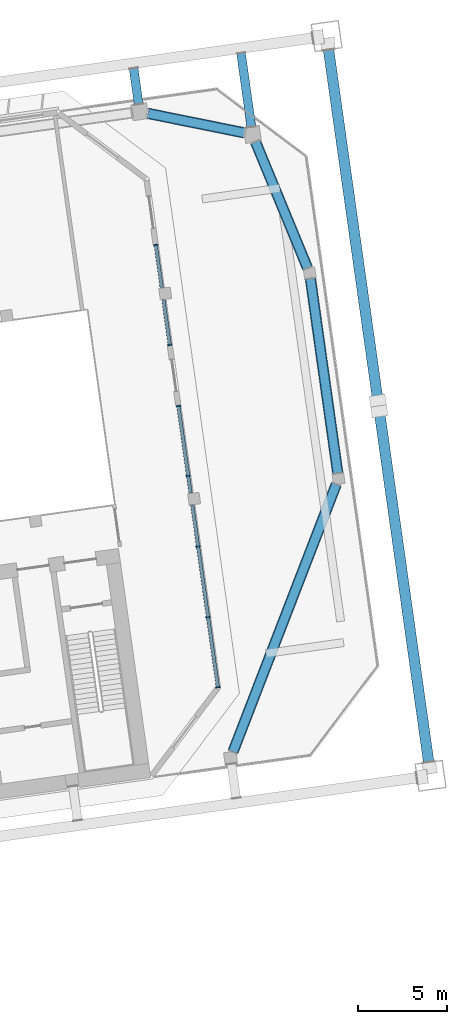
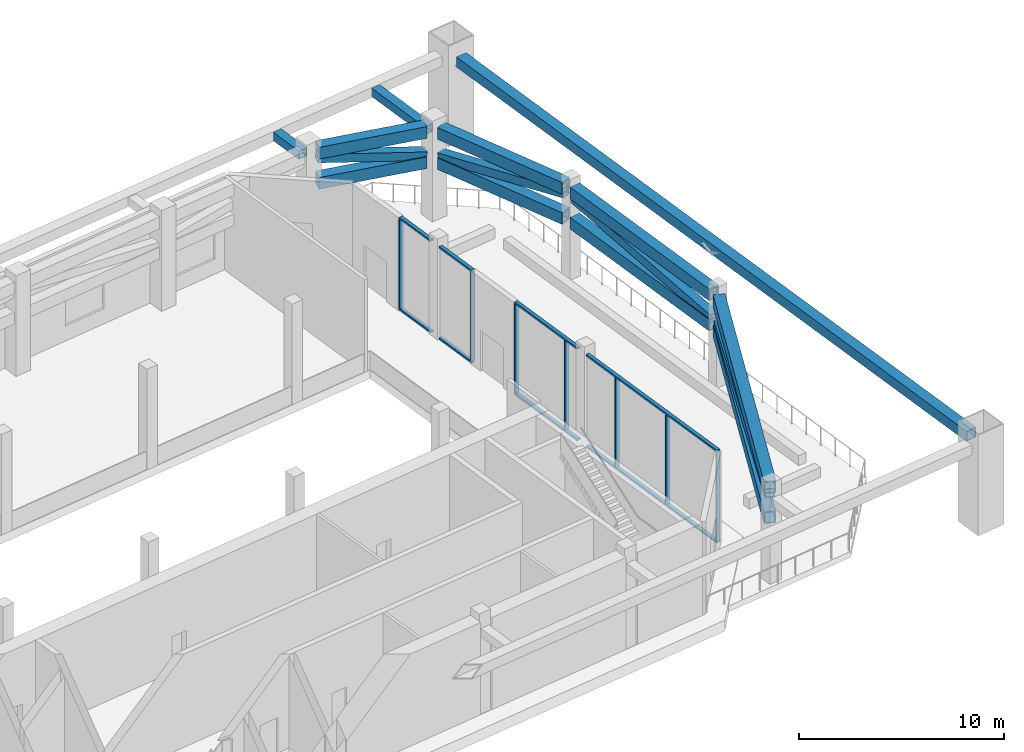
# One storey, part 16 of 41: 30 members, 2 elements without a shape of their own.
"""IFC4 building model written with IfcOpenShell, lengths in metres."""

from ifc_helpers import new_model, si_unit, direction, frame, origin, origin_2d, place, context, subcontext, project, spatial, rectangle, hollow_rectangle, extrude, material, material_profile, profile_set, type_object, element, aggregate, save


model = new_model("IFC4")

# Units and contexts
model_context = context("Model", 3, precision=1e-05, world=origin(), true_north=direction((0.0, 1.0)))
body_context = subcontext(model_context, "Body", "Model", "MODEL_VIEW")
ifc_project = project(units=[si_unit("LENGTHUNIT", "METRE"), si_unit("AREAUNIT", "SQUARE_METRE"), si_unit("VOLUMEUNIT", "CUBIC_METRE"), si_unit("PLANEANGLEUNIT", "RADIAN"), si_unit("MASSUNIT", "GRAM", prefix="KILO")], contexts=[model_context])

# Site, building, storey
site_placement = place(None, origin())
site = spatial("IfcSite", under=ifc_project, at=site_placement, CompositionType="ELEMENT")
building_placement = place(site_placement, origin())
building = spatial("IfcBuilding", under=site, at=building_placement, Name="Mirante Cascada Hotel Towers", CompositionType="ELEMENT")
storey_placement = place(building_placement, frame((0.0, 0.0, 92.7)))
storey = spatial("IfcBuildingStorey", under=building, at=storey_placement, Name="L20", CompositionType="ELEMENT", Elevation=92.7)

# Members
ifc_material_1 = material(Name="Steel ASTM A572 Gr 50", Category="steel")
ifc_material_profile_1 = material_profile(ifc_material_1, hollow_rectangle(XDim=0.6, YDim=0.6, WallThickness=0.04, at=origin_2d()), Name="Box chord 600x600x40 ASTM A572 Gr 50")
ifc_profile_set_1 = profile_set([ifc_material_profile_1], Name="Steel ASTM A572 Gr 50")
member_type_1 = type_object("IfcMemberType", Name="Box chord 600x600x40 ASTM A572 Gr 50", PredefinedType="CHORD", material=ifc_profile_set_1)
member_1_placement = place(storey_placement, frame((106.0939, -11.7244, 4.85), z_axis=(-0.1391718, 0.9902683, 0.0), x_axis=(-0.9902683, -0.1391718, 0.0)))
element("IfcMember", 1, at=member_1_placement, inside=storey, type_object=member_type_1, Name="exochord T2 L20 4", PredefinedType="CHORD", context=body_context, shape_type="SweptSolid", body=[
    extrude(hollow_rectangle(XDim=0.6, YDim=0.6, WallThickness=0.04, at=origin_2d()), origin(), (0.0, 0.0, 1.0), 40.44),
])
ifc_material_2 = material(Name="Steel ASTM A572 Gr 50", Category="steel")
ifc_material_profile_2 = material_profile(ifc_material_2, hollow_rectangle(XDim=0.6, YDim=0.7, WallThickness=0.05, at=origin_2d()), Name="Box chord 700x600x50 ASTM A572 Gr 50")
ifc_profile_set_2 = profile_set([ifc_material_profile_2], Name="Steel ASTM A572 Gr 50")
member_type_2 = type_object("IfcMemberType", Name="Box chord 700x600x50 ASTM A572 Gr 50", PredefinedType="CHORD", material=ifc_profile_set_2)
for number, where, z_axis, x_axis, name in (
    (2, (90.2951, 24.7498, 5.2), (0.9802196, -0.197913, 0.0), (0.197913, 0.9802196, 0.0), "belt T2 L20 22"),
    (3, (90.2951, 24.7498, 3.4), (0.9802196, -0.197913, 0.0), (0.197913, 0.9802196, 0.0), "belt T2 L20 23"),
):
    element("IfcMember", number, at=place(storey_placement, frame(where, z_axis=z_axis, x_axis=x_axis)), inside=storey, type_object=member_type_2, Name=name, PredefinedType="CHORD", context=body_context, shape_type="SweptSolid", body=[
        extrude(hollow_rectangle(XDim=0.6, YDim=0.7, WallThickness=0.05, at=origin_2d()), origin(), (0.0, 0.0, 1.0), 5.5534),
    ])
for number, where, z_axis, x_axis, name in (
    (4, (96.3563, 23.1491, 5.2), (0.3811846, -0.9244989, 0.0), (0.9244989, 0.3811846, 0.0), "belt T2 L20 25"),
    (5, (96.3563, 23.1491, 3.4), (0.3811846, -0.9244989, 0.0), (0.9244989, 0.3811846, 0.0), "belt T2 L20 26"),
):
    element("IfcMember", number, at=place(storey_placement, frame(where, z_axis=z_axis, x_axis=x_axis)), inside=storey, type_object=member_type_2, Name=name, PredefinedType="CHORD", context=body_context, shape_type="SweptSolid", body=[
        extrude(hollow_rectangle(XDim=0.6, YDim=0.7, WallThickness=0.05, at=origin_2d()), origin(), (0.0, 0.0, 1.0), 7.6803),
    ])
for number, where, z_axis, x_axis, name in (
    (6, (99.4466, 15.455, 5.2), (0.1391752, -0.9902678, 0.0), (0.9902678, 0.1391752, 0.0), "belt T2 L20 28"),
    (7, (99.4466, 15.455, 3.4), (0.1391752, -0.9902678, 0.0), (0.9902678, 0.1391752, 0.0), "belt T2 L20 29"),
):
    element("IfcMember", number, at=place(storey_placement, frame(where, z_axis=z_axis, x_axis=x_axis)), inside=storey, type_object=member_type_2, Name=name, PredefinedType="CHORD", context=body_context, shape_type="SweptSolid", body=[
        extrude(hollow_rectangle(XDim=0.6, YDim=0.7, WallThickness=0.05, at=origin_2d()), origin(), (0.0, 0.0, 1.0), 11.04),
    ])
for number, where, z_axis, x_axis, name in (
    (8, (100.8987, 3.892, 5.2), (-0.3601987, -0.9328756, 0.0), (0.9328756, -0.3601987, 0.0), "belt T2 L20 31"),
    (9, (100.8987, 3.892, 3.4), (-0.3601987, -0.9328756, 0.0), (0.9328756, -0.3601987, 0.0), "belt T2 L20 32"),
):
    element("IfcMember", number, at=place(storey_placement, frame(where, z_axis=z_axis, x_axis=x_axis)), inside=storey, type_object=member_type_2, Name=name, PredefinedType="CHORD", context=body_context, shape_type="SweptSolid", body=[
        extrude(hollow_rectangle(XDim=0.6, YDim=0.7, WallThickness=0.05, at=origin_2d()), origin(), (0.0, 0.0, 1.0), 16.1217),
    ])
ifc_material_3 = material(Name="Steel ASTM A572 Gr 50", Category="steel")
ifc_material_profile_3 = material_profile(ifc_material_3, hollow_rectangle(XDim=0.5, YDim=0.5, WallThickness=0.035, at=origin_2d()), Name="Box diagonal 500x500x35 ASTM A572 Gr 50")
ifc_profile_set_3 = profile_set([ifc_material_profile_3], Name="Steel ASTM A572 Gr 50")
member_type_3 = type_object("IfcMemberType", Name="Box diagonal 500x500x35 ASTM A572 Gr 50", PredefinedType="BRACE", material=ifc_profile_set_3)
member_2_placement = place(storey_placement, frame((90.2951, 24.7498, 4.85), z_axis=(0.9615387, -0.1941412, -0.1943002), x_axis=(0.197913, 0.9802196, 0.0)))
element("IfcMember", 10, at=member_2_placement, inside=storey, type_object=member_type_3, Name="belt T2 L20 24", PredefinedType="BRACE", context=body_context, shape_type="SweptSolid", body=[
    extrude(hollow_rectangle(XDim=0.5, YDim=0.5, WallThickness=0.035, at=origin_2d()), origin(), (0.0, 0.0, 1.0), 5.6613),
])
member_3_placement = place(storey_placement, frame((96.3563, 23.1491, 3.75), z_axis=(0.3773341, -0.9151602, 0.1417774), x_axis=(0.9244989, 0.3811846, 0.0)))
element("IfcMember", 11, at=member_3_placement, inside=storey, type_object=member_type_3, Name="belt T2 L20 27", PredefinedType="BRACE", context=body_context, shape_type="SweptSolid", body=[
    extrude(hollow_rectangle(XDim=0.5, YDim=0.5, WallThickness=0.035, at=origin_2d()), origin(), (0.0, 0.0, 1.0), 7.7586),
])
member_4_placement = place(storey_placement, frame((99.4466, 15.455, 4.85), z_axis=(0.1384894, -0.9853886, -0.0991464), x_axis=(0.9902678, 0.1391752, 0.0)))
element("IfcMember", 12, at=member_4_placement, inside=storey, type_object=member_type_3, Name="belt T2 L20 30", PredefinedType="BRACE", context=body_context, shape_type="SweptSolid", body=[
    extrude(hollow_rectangle(XDim=0.5, YDim=0.5, WallThickness=0.035, at=origin_2d()), origin(), (0.0, 0.0, 1.0), 11.0947),
])
member_5_placement = place(storey_placement, frame((100.8987, 3.892, 3.75), z_axis=(-0.3593632, -0.9307117, 0.0680729), x_axis=(0.9328756, -0.3601987, 0.0)))
element("IfcMember", 13, at=member_5_placement, inside=storey, type_object=member_type_3, Name="belt T2 L20 33", PredefinedType="BRACE", context=body_context, shape_type="SweptSolid", body=[
    extrude(hollow_rectangle(XDim=0.5, YDim=0.5, WallThickness=0.035, at=origin_2d()), origin(), (0.0, 0.0, 1.0), 16.1591),
])
ifc_material_4 = material(Name="Steel ASTM A572 Gr 50", Category="steel")
ifc_material_profile_4 = material_profile(ifc_material_4, hollow_rectangle(XDim=0.5, YDim=0.5, WallThickness=0.035, at=origin_2d()), Name="Box tie 500x500x35 ASTM A572 Gr 50")
ifc_profile_set_4 = profile_set([ifc_material_profile_4], Name="Steel ASTM A572 Gr 50")
member_type_4 = type_object("IfcMemberType", Name="Box tie 500x500x35 ASTM A572 Gr 50", PredefinedType="STRUT", material=ifc_profile_set_4)
member_6_placement = place(storey_placement, frame((89.7871, 25.2661, 4.85), z_axis=(-0.1391632, 0.9902695, 0.0), x_axis=(-0.9902695, -0.1391632, 0.0)))
element("IfcMember", 14, at=member_6_placement, inside=storey, type_object=member_type_4, Name="tie T2 L20 13", PredefinedType="STRUT", context=body_context, shape_type="SweptSolid", body=[
    extrude(hollow_rectangle(XDim=0.5, YDim=0.5, WallThickness=0.035, at=origin_2d()), origin(), (0.0, 0.0, 1.0), 2.0401),
])
member_7_placement = place(storey_placement, frame((96.127, 23.986, 4.85), z_axis=(-0.1391656, 0.9902691, 0.0), x_axis=(-0.9902691, -0.1391656, 0.0)))
element("IfcMember", 15, at=member_7_placement, inside=storey, type_object=member_type_4, Name="tie T2 L20 15", PredefinedType="STRUT", context=body_context, shape_type="SweptSolid", body=[
    extrude(hollow_rectangle(XDim=0.5, YDim=0.5, WallThickness=0.035, at=origin_2d()), origin(), (0.0, 0.0, 1.0), 4.19),
])

# Curtain wall, members
ifc_material_5 = material(Name="Aluminium mullion and transom frame with clear laminated glass", Category="aluminium")
curtain_wall_type = type_object("IfcCurtainWallType", Name="Sky garden curtain wall ECW4", PredefinedType="NOTDEFINED", material=ifc_material_5)
curtain_wall_1_placement = place(storey_placement, origin())
curtain_wall_1 = element("IfcCurtainWall", 16, at=curtain_wall_1_placement, inside=storey, type_object=curtain_wall_type, Name="Sky garden wall T2 L20 run 1", PredefinedType="NOTDEFINED")
ifc_material_6 = material(Name="Anodised aluminium extrusion", Category="aluminium")
ifc_material_profile_5 = material_profile(ifc_material_6, rectangle(XDim=0.24, YDim=0.075, at=origin_2d()), Name="ECW4 MULLION 75x240")
ifc_profile_set_5 = profile_set([ifc_material_profile_5], Name="Anodised aluminium extrusion")
member_type_5 = type_object("IfcMemberType", Name="ECW4 mullion 75x240", PredefinedType="MULLION", material=ifc_profile_set_5)
member_8_placement = place(storey_placement, frame((94.2425, -7.5132, 0.11), z_axis=(0.0, 0.0, 1.0), x_axis=(-0.9902681, -0.1391731, 0.0)))
member_8 = element("IfcMember", 17, at=member_8_placement, type_object=member_type_5, Name="ECW4 mullion 1", PredefinedType="MULLION", context=body_context, shape_type="SweptSolid", body=[
    extrude(rectangle(XDim=0.24, YDim=0.075, at=origin_2d()), origin(), (0.0, 0.0, 1.0), 5.33),
])
member_9_placement = place(storey_placement, frame((93.6897, -3.5799, 0.11), z_axis=(0.0, 0.0, 1.0), x_axis=(-0.9902681, -0.1391731, 0.0)))
member_9 = element("IfcMember", 18, at=member_9_placement, type_object=member_type_5, Name="ECW4 mullion 2", PredefinedType="MULLION", context=body_context, shape_type="SweptSolid", body=[
    extrude(rectangle(XDim=0.24, YDim=0.075, at=origin_2d()), origin(), (0.0, 0.0, 1.0), 5.33),
])
member_10_placement = place(storey_placement, frame((93.1317, 0.3906, 0.11), z_axis=(0.0, 0.0, 1.0), x_axis=(-0.9902681, -0.1391731, 0.0)))
member_10 = element("IfcMember", 19, at=member_10_placement, type_object=member_type_5, Name="ECW4 mullion 3", PredefinedType="MULLION", context=body_context, shape_type="SweptSolid", body=[
    extrude(rectangle(XDim=0.24, YDim=0.075, at=origin_2d()), origin(), (0.0, 0.0, 1.0), 5.33),
])
member_11_placement = place(storey_placement, frame((92.5737, 4.361, 0.11), z_axis=(0.0, 0.0, 1.0), x_axis=(-0.9902681, -0.1391731, 0.0)))
member_11 = element("IfcMember", 20, at=member_11_placement, type_object=member_type_5, Name="ECW4 mullion 4", PredefinedType="MULLION", context=body_context, shape_type="SweptSolid", body=[
    extrude(rectangle(XDim=0.24, YDim=0.075, at=origin_2d()), origin(), (0.0, 0.0, 1.0), 5.33),
])
member_12_placement = place(storey_placement, frame((92.0209, 8.2943, 0.11), z_axis=(0.0, 0.0, 1.0), x_axis=(-0.9902681, -0.1391731, 0.0)))
member_12 = element("IfcMember", 21, at=member_12_placement, type_object=member_type_5, Name="ECW4 mullion 5", PredefinedType="MULLION", context=body_context, shape_type="SweptSolid", body=[
    extrude(rectangle(XDim=0.24, YDim=0.075, at=origin_2d()), origin(), (0.0, 0.0, 1.0), 5.33),
])

curtain_wall_2_placement = place(storey_placement, origin())
curtain_wall_2 = element("IfcCurtainWall", 22, at=curtain_wall_2_placement, inside=storey, type_object=curtain_wall_type, Name="Sky garden wall T2 L20 run 3", PredefinedType="NOTDEFINED")
member_13_placement = place(storey_placement, frame((91.5373, 11.7355, 0.11), z_axis=(0.0, 0.0, 1.0), x_axis=(-0.9902681, -0.1391731, 0.0)))
member_13 = element("IfcMember", 23, at=member_13_placement, type_object=member_type_5, Name="ECW4 mullion 1", PredefinedType="MULLION", context=body_context, shape_type="SweptSolid", body=[
    extrude(rectangle(XDim=0.24, YDim=0.075, at=origin_2d()), origin(), (0.0, 0.0, 1.0), 5.33),
])
member_14_placement = place(storey_placement, frame((90.7491, 17.3433, 0.11), z_axis=(0.0, 0.0, 1.0), x_axis=(-0.9902681, -0.1391731, 0.0)))
member_14 = element("IfcMember", 24, at=member_14_placement, type_object=member_type_5, Name="ECW4 mullion 2", PredefinedType="MULLION", context=body_context, shape_type="SweptSolid", body=[
    extrude(rectangle(XDim=0.24, YDim=0.075, at=origin_2d()), origin(), (0.0, 0.0, 1.0), 5.33),
])

# Member
ifc_material_7 = material(Name="Anodised aluminium extrusion", Category="aluminium")
ifc_material_profile_6 = material_profile(ifc_material_7, rectangle(XDim=0.2, YDim=0.11, at=origin_2d()), Name="ECW4 TRANSOM 110x200")
ifc_profile_set_6 = profile_set([ifc_material_profile_6], Name="Anodised aluminium extrusion")
member_type_6 = type_object("IfcMemberType", Name="ECW4 transom 110x200", PredefinedType="USERDEFINED", material=ifc_profile_set_6)
member_15_placement = place(storey_placement, frame((94.2477, -7.5503, 0.055), z_axis=(-0.1391713, 0.9902683, 0.0), x_axis=(-0.9902683, -0.1391713, 0.0)))
member_15 = element("IfcMember", 25, at=member_15_placement, type_object=member_type_6, Name="ECW4 sill transom", ObjectType="TRANSOM", PredefinedType="USERDEFINED", context=body_context, shape_type="SweptSolid", body=[
    extrude(rectangle(XDim=0.2, YDim=0.11, at=origin_2d()), origin(), (0.0, 0.0, 1.0), 10.3678),
])

member_16_placement = place(storey_placement, frame((92.7088, 3.3999, 0.055), z_axis=(-0.1391748, 0.9902678, 0.0), x_axis=(-0.9902678, -0.1391748, 0.0)))
member_16 = element("IfcMember", 26, at=member_16_placement, type_object=member_type_6, Name="ECW4 sill transom", ObjectType="TRANSOM", PredefinedType="USERDEFINED", context=body_context, shape_type="SweptSolid", body=[
    extrude(rectangle(XDim=0.2, YDim=0.11, at=origin_2d()), origin(), (0.0, 0.0, 1.0), 4.9801),
])

member_17_placement = place(storey_placement, frame((94.2477, -7.5503, 5.495), z_axis=(-0.1391713, 0.9902683, 0.0), x_axis=(-0.9902683, -0.1391713, 0.0)))
member_17 = element("IfcMember", 27, at=member_17_placement, type_object=member_type_6, Name="ECW4 head transom", ObjectType="TRANSOM", PredefinedType="USERDEFINED", context=body_context, shape_type="SweptSolid", body=[
    extrude(rectangle(XDim=0.2, YDim=0.11, at=origin_2d()), origin(), (0.0, 0.0, 1.0), 10.3678),
])

member_18_placement = place(storey_placement, frame((92.7088, 3.3999, 5.495), z_axis=(-0.1391748, 0.9902678, 0.0), x_axis=(-0.9902678, -0.1391748, 0.0)))
member_18 = element("IfcMember", 28, at=member_18_placement, type_object=member_type_6, Name="ECW4 head transom", ObjectType="TRANSOM", PredefinedType="USERDEFINED", context=body_context, shape_type="SweptSolid", body=[
    extrude(rectangle(XDim=0.2, YDim=0.11, at=origin_2d()), origin(), (0.0, 0.0, 1.0), 4.9801),
])

aggregate(curtain_wall_1, [member_15, member_16, member_17, member_18, member_8, member_9, member_10, member_11, member_12])

member_19_placement = place(storey_placement, frame((91.5425, 11.6984, 0.055), z_axis=(-0.1391853, 0.9902663, 0.0), x_axis=(-0.9902663, -0.1391853, 0.0)))
member_19 = element("IfcMember", 29, at=member_19_placement, type_object=member_type_6, Name="ECW4 sill transom", ObjectType="TRANSOM", PredefinedType="USERDEFINED", context=body_context, shape_type="SweptSolid", body=[
    extrude(rectangle(XDim=0.2, YDim=0.11, at=origin_2d()), origin(), (0.0, 0.0, 1.0), 2.58),
])

member_20_placement = place(storey_placement, frame((91.0874, 14.9365, 0.055), z_axis=(-0.1391859, 0.9902663, 0.0), x_axis=(-0.9902663, -0.1391859, 0.0)))
member_20 = element("IfcMember", 30, at=member_20_placement, type_object=member_type_6, Name="ECW4 sill transom", ObjectType="TRANSOM", PredefinedType="USERDEFINED", context=body_context, shape_type="SweptSolid", body=[
    extrude(rectangle(XDim=0.2, YDim=0.11, at=origin_2d()), origin(), (0.0, 0.0, 1.0), 2.4679),
])

member_21_placement = place(storey_placement, frame((91.5425, 11.6984, 5.495), z_axis=(-0.1391853, 0.9902663, 0.0), x_axis=(-0.9902663, -0.1391853, 0.0)))
member_21 = element("IfcMember", 31, at=member_21_placement, type_object=member_type_6, Name="ECW4 head transom", ObjectType="TRANSOM", PredefinedType="USERDEFINED", context=body_context, shape_type="SweptSolid", body=[
    extrude(rectangle(XDim=0.2, YDim=0.11, at=origin_2d()), origin(), (0.0, 0.0, 1.0), 2.58),
])

member_22_placement = place(storey_placement, frame((91.0874, 14.9365, 5.495), z_axis=(-0.1391859, 0.9902663, 0.0), x_axis=(-0.9902663, -0.1391859, 0.0)))
member_22 = element("IfcMember", 32, at=member_22_placement, type_object=member_type_6, Name="ECW4 head transom", ObjectType="TRANSOM", PredefinedType="USERDEFINED", context=body_context, shape_type="SweptSolid", body=[
    extrude(rectangle(XDim=0.2, YDim=0.11, at=origin_2d()), origin(), (0.0, 0.0, 1.0), 2.4679),
])

aggregate(curtain_wall_2, [member_19, member_20, member_21, member_22, member_13, member_14])

save(model, "model.ifc")
